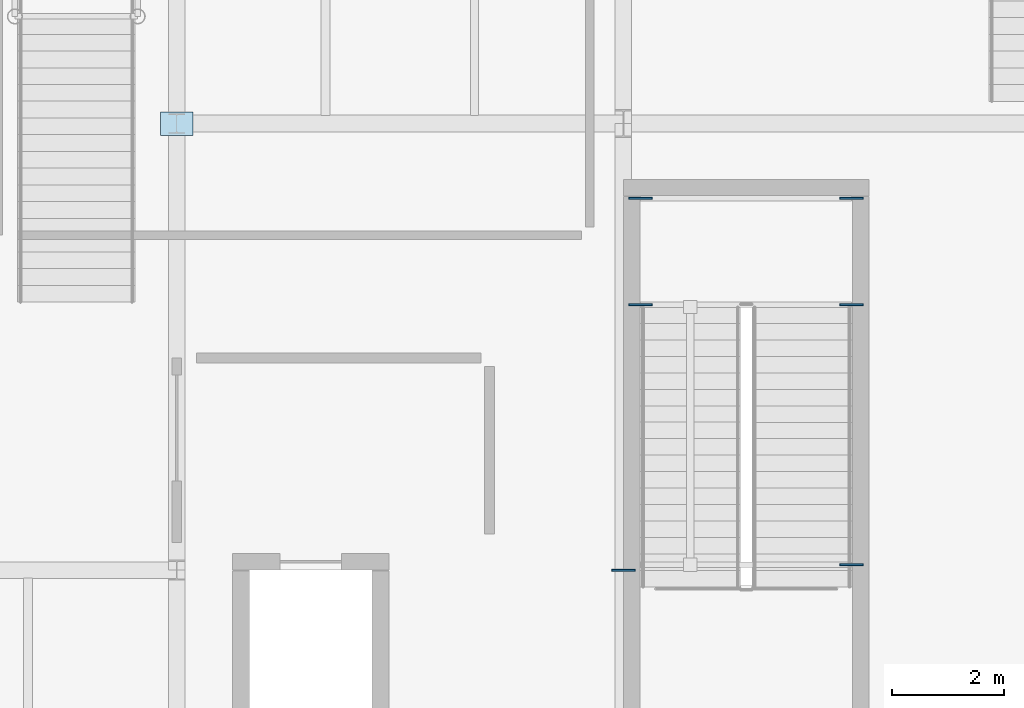
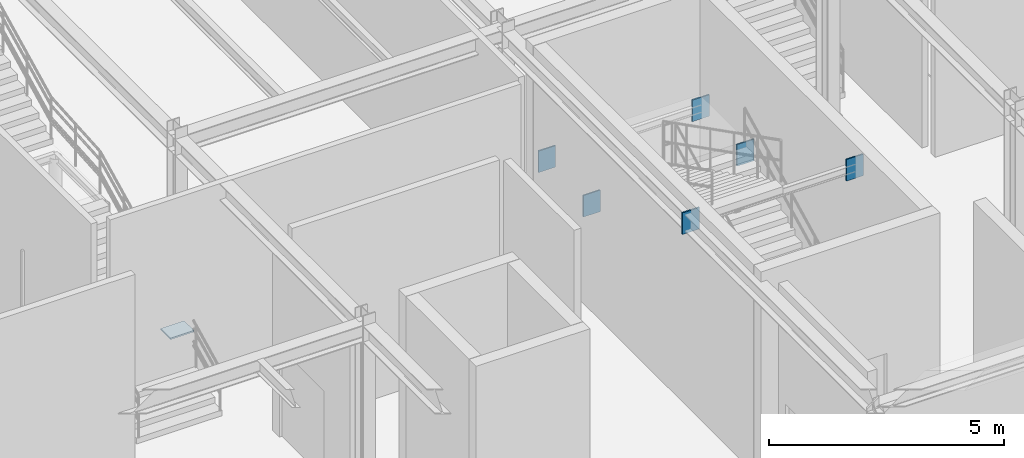
# One storey, part 66 of 129: 7 plates.
"""IFC4 building model written with IfcOpenShell, lengths in metres."""

from ifc_helpers import new_model, si_unit, direction, frame, origin, origin_2d, place, context, subcontext, project, spatial, rectangle, extrude, material, layer, layer_set, type_object, element, save


model = new_model("IFC4")

# Units and contexts
model_context = context("Model", 3, precision=1e-05, world=origin(), true_north=direction((0.0, 1.0)))
body_context = subcontext(model_context, "Body", "Model", "MODEL_VIEW")
ifc_project = project(units=[si_unit("LENGTHUNIT", "METRE"), si_unit("AREAUNIT", "SQUARE_METRE"), si_unit("VOLUMEUNIT", "CUBIC_METRE"), si_unit("PLANEANGLEUNIT", "RADIAN"), si_unit("MASSUNIT", "GRAM", prefix="KILO")], contexts=[model_context])

# Site, building, storey
site_placement = place(None, origin())
site = spatial("IfcSite", under=ifc_project, at=site_placement, CompositionType="ELEMENT")
building_placement = place(site_placement, origin())
building = spatial("IfcBuilding", under=site, at=building_placement, Name="Sundkrona Museum", CompositionType="ELEMENT")
storey_placement = place(building_placement, origin())
storey = spatial("IfcBuildingStorey", under=building, at=storey_placement, Name="L00", CompositionType="ELEMENT", Elevation=0.0)

# Plates
ifc_material = material(Name="Steel S355J2", Category="steel")
ifc_layer_1 = layer(ifc_material, 0.0380859375)
ifc_layer_set_1 = layer_set([ifc_layer_1], Name="Steel S355J2")
plate_type_1 = type_object("IfcPlateType", Name="BP-3", PredefinedType="USERDEFINED", material=ifc_layer_set_1)
plate_placement = place(storey_placement, frame((112.0, 16.0, 0.0), z_axis=(0.0, 0.0, 1.0), x_axis=(1.0, 0.0, 0.0)))
element("IfcPlate", 1, at=plate_placement, inside=storey, type_object=plate_type_1, Name="Column Base Plate C/15", ObjectType="GUSSET PLATE", PredefinedType="USERDEFINED", context=body_context, shape_type="SweptSolid", body=[
    extrude(rectangle(XDim=0.580078125, YDim=0.419921875, at=origin_2d()), origin(), (0.0, 0.0, 1.0), 0.0380859375),
])
ifc_layer_2 = layer(ifc_material, 0.034912109375)
ifc_layer_set_2 = layer_set([ifc_layer_2], Name="Steel S355J2")
plate_type_2 = type_object("IfcPlateType", Name="EP-1", PredefinedType="USERDEFINED", material=ifc_layer_set_2)
for number, where, z_axis, x_axis, name in (
    (2, (120.0, 8.0, 4.639892578125), (0.0, 0.0, 1.0), (1.0, 0.0, 0.0), "Core Wall Cast-In Embed Plate BM-L00-Y-0726-2"),
    (3, (120.31005859375, 12.754638671875, 2.099853515625), (0.0, 0.0, 1.0), (1.0, 0.0, 0.0), "Core Wall Cast-In Embed Plate BM-STLD-ST-2-L00-1A-1"),
    (4, (124.090087890625, 12.754638671875, 2.099853515625), (0.0, 0.0, 1.0), (1.0, 0.0, 0.0), "Core Wall Cast-In Embed Plate BM-STLD-ST-2-L00-1A-2"),
    (5, (120.31005859375, 14.660400390625, 2.099853515625), (0.0, 0.0, 1.0), (1.0, 0.0, 0.0), "Core Wall Cast-In Embed Plate BM-STLD-ST-2-L00-1B-1"),
    (6, (124.090087890625, 14.660400390625, 2.099853515625), (0.0, 0.0, 1.0), (1.0, 0.0, 0.0), "Core Wall Cast-In Embed Plate BM-STLD-ST-2-L00-1B-2"),
    (7, (124.090087890625, 8.10009765625, 4.5341796875), (0.0, 0.0, 1.0), (1.0, 0.0, 0.0), "Core Wall Cast-In Embed Plate BM-STHD-ST-2-L00-2-2"),
):
    element("IfcPlate", number, at=place(storey_placement, frame(where, z_axis=z_axis, x_axis=x_axis)), inside=storey, type_object=plate_type_2, Name=name, ObjectType="GUSSET PLATE", PredefinedType="USERDEFINED", context=body_context, shape_type="SweptSolid", body=[
        extrude(rectangle(XDim=0.419921875, YDim=0.034912109375, at=origin_2d()), origin(), (0.0, 0.0, 1.0), 0.56005859375),
    ])

save(model, "model.ifc")
